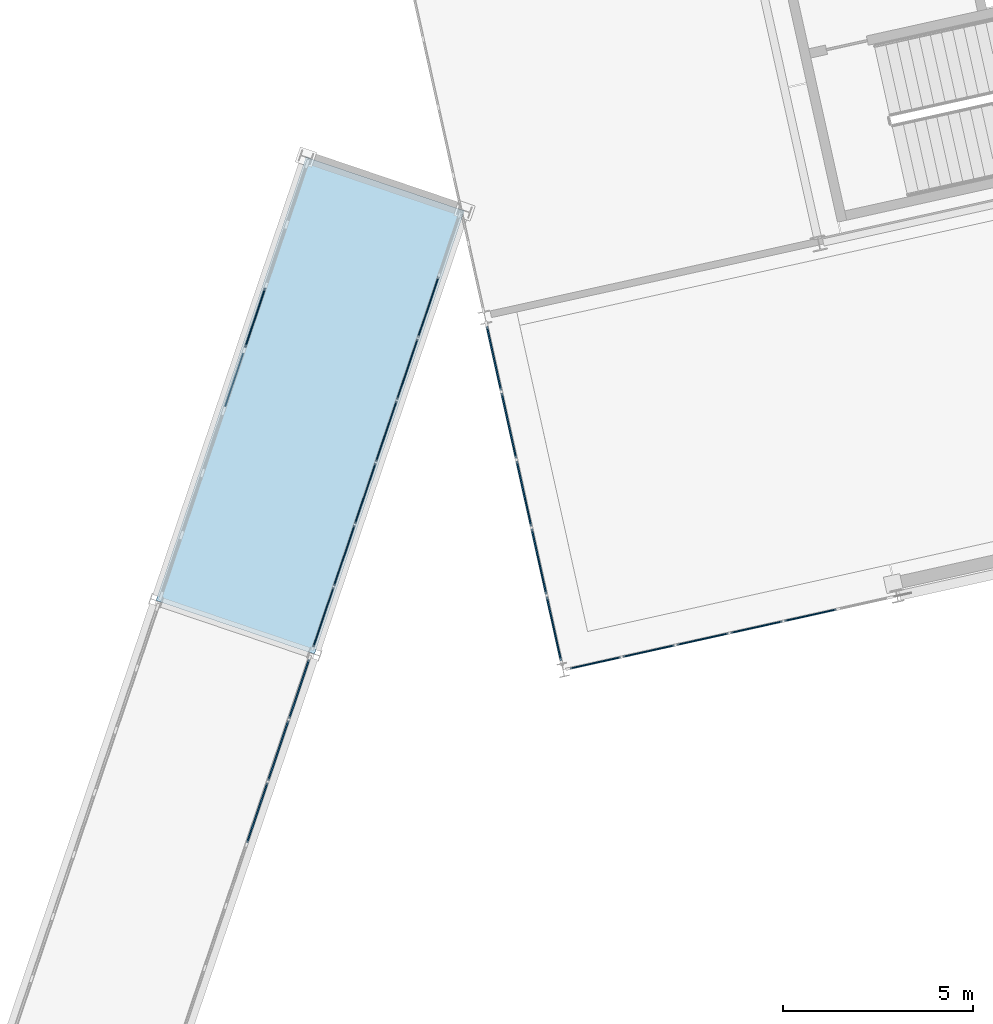
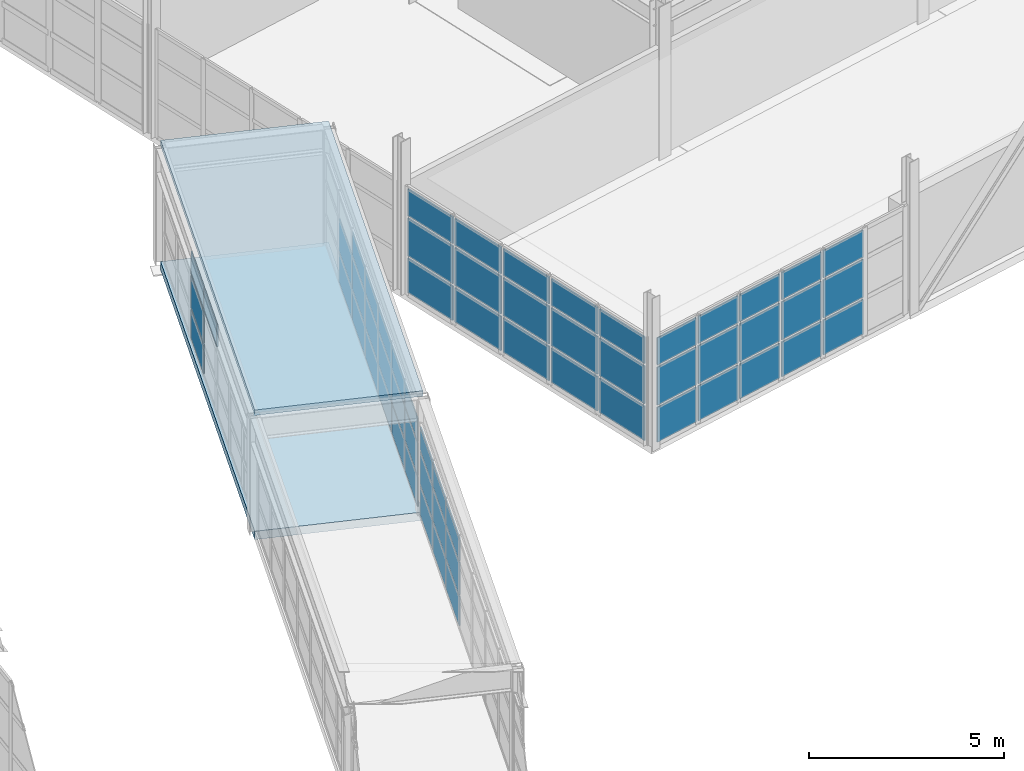
# One storey, part 70 of 102: 60 plates, 2 slabs, 5 elements without a shape of their own.
"""IFC4 building model written with IfcOpenShell, lengths in metres."""

from ifc_helpers import new_model, si_unit, direction, frame, origin, origin_2d, place, context, subcontext, project, spatial, polyline, rectangle, outline, extrude, material, layer, layer_set, type_object, element, aggregate, save


model = new_model("IFC4")

# Units and contexts
model_context = context("Model", 3, precision=1e-05, world=origin(), true_north=direction((0.0, 1.0)))
body_context = subcontext(model_context, "Body", "Model", "MODEL_VIEW")
ifc_project = project(units=[si_unit("LENGTHUNIT", "METRE"), si_unit("AREAUNIT", "SQUARE_METRE"), si_unit("VOLUMEUNIT", "CUBIC_METRE"), si_unit("PLANEANGLEUNIT", "RADIAN"), si_unit("MASSUNIT", "GRAM", prefix="KILO")], contexts=[model_context])

# Site, building, storey
site_placement = place(None, origin())
site = spatial("IfcSite", under=ifc_project, at=site_placement, CompositionType="ELEMENT")
building_placement = place(site_placement, origin())
building = spatial("IfcBuilding", under=site, at=building_placement, Name="Vireo Bluff Cable Station", CompositionType="ELEMENT")
storey_placement = place(building_placement, frame((0.0, 0.0, 9.60009765625)))
storey = spatial("IfcBuildingStorey", under=building, at=storey_placement, Name="L02", CompositionType="ELEMENT", Elevation=9.60009765625)

# Curtain wall, plates
ifc_material_1 = material(Name="Anodized Aluminium 6063-T6", Category="aluminium")
ifc_layer_1 = layer(ifc_material_1, 0.159912109375, Name="Anodized Aluminium 6063-T6")
ifc_layer_set_1 = layer_set([ifc_layer_1], Name="Anodized Aluminium 6063-T6")
curtain_wall_type_1 = type_object("IfcCurtainWallType", Name="CW-STICK-1750", PredefinedType="USERDEFINED", material=ifc_layer_set_1)
curtain_wall_1_placement = place(storey_placement, origin())
curtain_wall_1 = element("IfcCurtainWall", 1, at=curtain_wall_1_placement, inside=storey, type_object=curtain_wall_type_1, Name="SKYBR L02 HAUL-DRIVE-3L curtain wall CW-150", ObjectType="STICK CURTAIN WALL", PredefinedType="USERDEFINED")
ifc_material_2 = material(Name="Laminated Low-E Insulated Glass", Category="glass")
ifc_layer_2 = layer(ifc_material_2, 0.028076171875, Name="Laminated Low-E Insulated Glass")
ifc_layer_set_2 = layer_set([ifc_layer_2], Name="Laminated Low-E Insulated Glass")
plate_type_1 = type_object("IfcPlateType", Name="CWP-28-1", PredefinedType="CURTAIN_PANEL", material=ifc_layer_set_2)
plate_1_placement = place(storey_placement, frame((119.695556640625, 75.39208984375, 0.059814453125), z_axis=(0.0, 0.0, 1.0), x_axis=(0.320353719222, 0.947297996715, 0.0)))
plate_1 = element("IfcPlate", 2, at=plate_1_placement, type_object=plate_type_1, Name="CW-150 panel 1.1", PredefinedType="CURTAIN_PANEL", context=body_context, shape_type="SweptSolid", body=[
    extrude(rectangle(XDim=1.635009765625, YDim=0.028076171875, at=origin_2d()), origin(), (0.0, 0.0, 1.0), 0.91796875),
])
plate_2_placement = place(storey_placement, frame((119.695556640625, 75.39208984375, 1.0380859375), z_axis=(0.0, 0.0, 1.0), x_axis=(0.320353719222, 0.947297996715, 0.0)))
plate_2 = element("IfcPlate", 3, at=plate_2_placement, type_object=plate_type_1, Name="CW-150 panel 1.2", PredefinedType="CURTAIN_PANEL", context=body_context, shape_type="SweptSolid", body=[
    extrude(rectangle(XDim=1.635009765625, YDim=0.028076171875, at=origin_2d()), origin(), (0.0, 0.0, 1.0), 1.005615234375),
])
plate_3_placement = place(storey_placement, frame((119.695556640625, 75.39208984375, 2.103515625), z_axis=(0.0, 0.0, 1.0), x_axis=(0.320353719222, 0.947297996715, 0.0)))
plate_3 = element("IfcPlate", 4, at=plate_3_placement, type_object=plate_type_1, Name="CW-150 panel 1.3", PredefinedType="CURTAIN_PANEL", context=body_context, shape_type="SweptSolid", body=[
    extrude(rectangle(XDim=1.635009765625, YDim=0.028076171875, at=origin_2d()), origin(), (0.0, 0.0, 1.0), 0.71630859375),
])
plate_4_placement = place(storey_placement, frame((120.243408203125, 77.011962890625, 0.059814453125), z_axis=(0.0, 0.0, 1.0), x_axis=(0.320353719222, 0.947297996715, 0.0)))
plate_4 = element("IfcPlate", 5, at=plate_4_placement, type_object=plate_type_1, Name="CW-150 panel 2.1", PredefinedType="CURTAIN_PANEL", context=body_context, shape_type="SweptSolid", body=[
    extrude(rectangle(XDim=1.6650390625, YDim=0.028076171875, at=origin_2d()), origin(), (0.0, 0.0, 1.0), 0.91796875),
])
plate_5_placement = place(storey_placement, frame((120.243408203125, 77.011962890625, 1.0380859375), z_axis=(0.0, 0.0, 1.0), x_axis=(0.320353719222, 0.947297996715, 0.0)))
plate_5 = element("IfcPlate", 6, at=plate_5_placement, type_object=plate_type_1, Name="CW-150 panel 2.2", PredefinedType="CURTAIN_PANEL", context=body_context, shape_type="SweptSolid", body=[
    extrude(rectangle(XDim=1.6650390625, YDim=0.028076171875, at=origin_2d()), origin(), (0.0, 0.0, 1.0), 1.005615234375),
])
plate_6_placement = place(storey_placement, frame((120.243408203125, 77.011962890625, 2.103515625), z_axis=(0.0, 0.0, 1.0), x_axis=(0.320353719222, 0.947297996715, 0.0)))
plate_6 = element("IfcPlate", 7, at=plate_6_placement, type_object=plate_type_1, Name="CW-150 panel 2.3", PredefinedType="CURTAIN_PANEL", context=body_context, shape_type="SweptSolid", body=[
    extrude(rectangle(XDim=1.6650390625, YDim=0.028076171875, at=origin_2d()), origin(), (0.0, 0.0, 1.0), 0.71630859375),
])
plate_7_placement = place(storey_placement, frame((120.796142578125, 78.646240234375, 0.059814453125), z_axis=(0.0, 0.0, 1.0), x_axis=(0.320353719222, 0.947297996715, 0.0)))
plate_7 = element("IfcPlate", 8, at=plate_7_placement, type_object=plate_type_1, Name="CW-150 panel 3.1", PredefinedType="CURTAIN_PANEL", context=body_context, shape_type="SweptSolid", body=[
    extrude(rectangle(XDim=1.6650390625, YDim=0.028076171875, at=origin_2d()), origin(), (0.0, 0.0, 1.0), 0.91796875),
])
plate_8_placement = place(storey_placement, frame((120.796142578125, 78.646240234375, 1.0380859375), z_axis=(0.0, 0.0, 1.0), x_axis=(0.320353719222, 0.947297996715, 0.0)))
plate_8 = element("IfcPlate", 9, at=plate_8_placement, type_object=plate_type_1, Name="CW-150 panel 3.2", PredefinedType="CURTAIN_PANEL", context=body_context, shape_type="SweptSolid", body=[
    extrude(rectangle(XDim=1.6650390625, YDim=0.028076171875, at=origin_2d()), origin(), (0.0, 0.0, 1.0), 1.005615234375),
])
plate_9_placement = place(storey_placement, frame((120.796142578125, 78.646240234375, 2.103515625), z_axis=(0.0, 0.0, 1.0), x_axis=(0.320353719222, 0.947297996715, 0.0)))
plate_9 = element("IfcPlate", 10, at=plate_9_placement, type_object=plate_type_1, Name="CW-150 panel 3.3", PredefinedType="CURTAIN_PANEL", context=body_context, shape_type="SweptSolid", body=[
    extrude(rectangle(XDim=1.6650390625, YDim=0.028076171875, at=origin_2d()), origin(), (0.0, 0.0, 1.0), 0.71630859375),
])
plate_10_placement = place(storey_placement, frame((121.3486328125, 80.280517578125, 0.059814453125), z_axis=(0.0, 0.0, 1.0), x_axis=(0.320353719222, 0.947297996715, 0.0)))
plate_10 = element("IfcPlate", 11, at=plate_10_placement, type_object=plate_type_1, Name="CW-150 panel 4.1", PredefinedType="CURTAIN_PANEL", context=body_context, shape_type="SweptSolid", body=[
    extrude(rectangle(XDim=1.6650390625, YDim=0.028076171875, at=origin_2d()), origin(), (0.0, 0.0, 1.0), 0.91796875),
])
plate_11_placement = place(storey_placement, frame((121.3486328125, 80.280517578125, 1.0380859375), z_axis=(0.0, 0.0, 1.0), x_axis=(0.320353719222, 0.947297996715, 0.0)))
plate_11 = element("IfcPlate", 12, at=plate_11_placement, type_object=plate_type_1, Name="CW-150 panel 4.2", PredefinedType="CURTAIN_PANEL", context=body_context, shape_type="SweptSolid", body=[
    extrude(rectangle(XDim=1.6650390625, YDim=0.028076171875, at=origin_2d()), origin(), (0.0, 0.0, 1.0), 1.005615234375),
])
plate_12_placement = place(storey_placement, frame((121.3486328125, 80.280517578125, 2.103515625), z_axis=(0.0, 0.0, 1.0), x_axis=(0.320353719222, 0.947297996715, 0.0)))
plate_12 = element("IfcPlate", 13, at=plate_12_placement, type_object=plate_type_1, Name="CW-150 panel 4.3", PredefinedType="CURTAIN_PANEL", context=body_context, shape_type="SweptSolid", body=[
    extrude(rectangle(XDim=1.6650390625, YDim=0.028076171875, at=origin_2d()), origin(), (0.0, 0.0, 1.0), 0.71630859375),
])
plate_13_placement = place(storey_placement, frame((121.9013671875, 81.91455078125, 0.059814453125), z_axis=(0.0, 0.0, 1.0), x_axis=(0.320353719222, 0.947297996715, 0.0)))
plate_13 = element("IfcPlate", 14, at=plate_13_placement, type_object=plate_type_1, Name="CW-150 panel 5.1", PredefinedType="CURTAIN_PANEL", context=body_context, shape_type="SweptSolid", body=[
    extrude(rectangle(XDim=1.6650390625, YDim=0.028076171875, at=origin_2d()), origin(), (0.0, 0.0, 1.0), 0.91796875),
])
plate_14_placement = place(storey_placement, frame((121.9013671875, 81.91455078125, 1.0380859375), z_axis=(0.0, 0.0, 1.0), x_axis=(0.320353719222, 0.947297996715, 0.0)))
plate_14 = element("IfcPlate", 15, at=plate_14_placement, type_object=plate_type_1, Name="CW-150 panel 5.2", PredefinedType="CURTAIN_PANEL", context=body_context, shape_type="SweptSolid", body=[
    extrude(rectangle(XDim=1.6650390625, YDim=0.028076171875, at=origin_2d()), origin(), (0.0, 0.0, 1.0), 1.005615234375),
])
plate_15_placement = place(storey_placement, frame((121.9013671875, 81.91455078125, 2.103515625), z_axis=(0.0, 0.0, 1.0), x_axis=(0.320353719222, 0.947297996715, 0.0)))
plate_15 = element("IfcPlate", 16, at=plate_15_placement, type_object=plate_type_1, Name="CW-150 panel 5.3", PredefinedType="CURTAIN_PANEL", context=body_context, shape_type="SweptSolid", body=[
    extrude(rectangle(XDim=1.6650390625, YDim=0.028076171875, at=origin_2d()), origin(), (0.0, 0.0, 1.0), 0.71630859375),
])
plate_16_placement = place(storey_placement, frame((122.4541015625, 83.548828125, 0.059814453125), z_axis=(0.0, 0.0, 1.0), x_axis=(0.320353719222, 0.947297996715, 0.0)))
plate_16 = element("IfcPlate", 17, at=plate_16_placement, type_object=plate_type_1, Name="CW-150 panel 6.1", PredefinedType="CURTAIN_PANEL", context=body_context, shape_type="SweptSolid", body=[
    extrude(rectangle(XDim=1.6650390625, YDim=0.028076171875, at=origin_2d()), origin(), (0.0, 0.0, 1.0), 0.91796875),
])
plate_17_placement = place(storey_placement, frame((122.4541015625, 83.548828125, 1.0380859375), z_axis=(0.0, 0.0, 1.0), x_axis=(0.320353719222, 0.947297996715, 0.0)))
plate_17 = element("IfcPlate", 18, at=plate_17_placement, type_object=plate_type_1, Name="CW-150 panel 6.2", PredefinedType="CURTAIN_PANEL", context=body_context, shape_type="SweptSolid", body=[
    extrude(rectangle(XDim=1.6650390625, YDim=0.028076171875, at=origin_2d()), origin(), (0.0, 0.0, 1.0), 1.005615234375),
])
aggregate(curtain_wall_1, [plate_1, plate_2, plate_3, plate_4, plate_5, plate_6, plate_7, plate_8, plate_9, plate_10, plate_11, plate_12, plate_13, plate_14, plate_15, plate_16, plate_17])

ifc_layer_3 = layer(ifc_material_1, 0.159912109375, Name="Anodized Aluminium 6063-T6")
ifc_layer_set_3 = layer_set([ifc_layer_3], Name="Anodized Aluminium 6063-T6")
curtain_wall_type_2 = type_object("IfcCurtainWallType", Name="CW-STICK-1850", PredefinedType="USERDEFINED", material=ifc_layer_set_3)
curtain_wall_2_placement = place(storey_placement, origin())
curtain_wall_2 = element("IfcCurtainWall", 19, at=curtain_wall_2_placement, inside=storey, type_object=curtain_wall_type_2, Name="SKYBR L02 HAUL-DRIVE-3R curtain wall CW-151", ObjectType="STICK CURTAIN WALL", PredefinedType="USERDEFINED")
ifc_layer_4 = layer(ifc_material_2, 0.031982421875, Name="Laminated Low-E Insulated Glass")
ifc_layer_set_4 = layer_set([ifc_layer_4], Name="Laminated Low-E Insulated Glass")
plate_type_2 = type_object("IfcPlateType", Name="CWP-32-2", PredefinedType="CURTAIN_PANEL", material=ifc_layer_set_4)
plate_18_placement = place(storey_placement, frame((117.347412109375, 81.633544921875, 2.11376953125), z_axis=(0.0, 0.0, 1.0), x_axis=(0.320353719222, 0.947297996715, 0.0)))
plate_18 = element("IfcPlate", 20, at=plate_18_placement, type_object=plate_type_2, Name="CW-151 panel 4.3", PredefinedType="CURTAIN_PANEL", context=body_context, shape_type="SweptSolid", body=[
    extrude(rectangle(XDim=1.64501953125, YDim=0.031982421875, at=origin_2d()), origin(), (0.0, 0.0, 1.0), 0.686279296875),
])
plate_19_placement = place(storey_placement, frame((117.89990234375, 83.267822265625, 0.080078125), z_axis=(0.0, 0.0, 1.0), x_axis=(0.320353719222, 0.947297996715, 0.0)))
plate_19 = element("IfcPlate", 21, at=plate_19_placement, type_object=plate_type_2, Name="CW-151 panel 5.1", PredefinedType="CURTAIN_PANEL", context=body_context, shape_type="SweptSolid", body=[
    extrude(rectangle(XDim=1.64501953125, YDim=0.031982421875, at=origin_2d()), origin(), (0.0, 0.0, 1.0), 0.887939453125),
])
plate_20_placement = place(storey_placement, frame((117.89990234375, 83.267822265625, 1.0478515625), z_axis=(0.0, 0.0, 1.0), x_axis=(0.320353719222, 0.947297996715, 0.0)))
plate_20 = element("IfcPlate", 22, at=plate_20_placement, type_object=plate_type_2, Name="CW-151 panel 5.2", PredefinedType="CURTAIN_PANEL", context=body_context, shape_type="SweptSolid", body=[
    extrude(rectangle(XDim=1.64501953125, YDim=0.031982421875, at=origin_2d()), origin(), (0.0, 0.0, 1.0), 0.985595703125),
])
plate_21_placement = place(storey_placement, frame((117.89990234375, 83.267822265625, 2.11376953125), z_axis=(0.0, 0.0, 1.0), x_axis=(0.320353719222, 0.947297996715, 0.0)))
plate_21 = element("IfcPlate", 23, at=plate_21_placement, type_object=plate_type_2, Name="CW-151 panel 5.3", PredefinedType="CURTAIN_PANEL", context=body_context, shape_type="SweptSolid", body=[
    extrude(rectangle(XDim=1.64501953125, YDim=0.031982421875, at=origin_2d()), origin(), (0.0, 0.0, 1.0), 0.686279296875),
])
aggregate(curtain_wall_2, [plate_18, plate_19, plate_20, plate_21])

ifc_layer_5 = layer(ifc_material_1, 0.179931640625, Name="Anodized Aluminium 6063-T6")
ifc_layer_set_5 = layer_set([ifc_layer_5], Name="Anodized Aluminium 6063-T6")
curtain_wall_type_3 = type_object("IfcCurtainWallType", Name="CW-UNIT-1500", PredefinedType="USERDEFINED", material=ifc_layer_set_5)
curtain_wall_3_placement = place(storey_placement, origin())
curtain_wall_3 = element("IfcCurtainWall", 24, at=curtain_wall_3_placement, inside=storey, type_object=curtain_wall_type_3, Name="V2 L02 south curtain wall CW-052", ObjectType="UNITISED CURTAIN WALL", PredefinedType="USERDEFINED")
ifc_layer_6 = layer(ifc_material_2, 0.035888671875, Name="Laminated Low-E Insulated Glass")
ifc_layer_set_6 = layer_set([ifc_layer_6], Name="Laminated Low-E Insulated Glass")
plate_type_3 = type_object("IfcPlateType", Name="CWP-36-3", PredefinedType="CURTAIN_PANEL", material=ifc_layer_set_6)
plate_22_placement = place(storey_placement, frame((132.5068359375, 75.442626953125, 0.06494140625), z_axis=(0.0, 0.0, 1.0), x_axis=(-0.976296009896, -0.216439601414, 0.0)))
plate_22 = element("IfcPlate", 25, at=plate_22_placement, type_object=plate_type_3, Name="CW-052 panel 2.1", PredefinedType="CURTAIN_PANEL", context=body_context, shape_type="SweptSolid", body=[
    extrude(rectangle(XDim=1.387451171875, YDim=0.035888671875, at=origin_2d()), origin(), (0.0, 0.0, 1.0), 1.092529296875),
])
plate_23_placement = place(storey_placement, frame((132.5068359375, 75.442626953125, 1.22216796875), z_axis=(0.0, 0.0, 1.0), x_axis=(-0.976296009896, -0.216439601414, 0.0)))
plate_23 = element("IfcPlate", 26, at=plate_23_placement, type_object=plate_type_3, Name="CW-052 panel 2.2", PredefinedType="CURTAIN_PANEL", context=body_context, shape_type="SweptSolid", body=[
    extrude(rectangle(XDim=1.387451171875, YDim=0.035888671875, at=origin_2d()), origin(), (0.0, 0.0, 1.0), 1.193115234375),
])
plate_24_placement = place(storey_placement, frame((132.5068359375, 75.442626953125, 2.48046875), z_axis=(0.0, 0.0, 1.0), x_axis=(-0.976296009896, -0.216439601414, 0.0)))
plate_24 = element("IfcPlate", 27, at=plate_24_placement, type_object=plate_type_3, Name="CW-052 panel 2.3", PredefinedType="CURTAIN_PANEL", context=body_context, shape_type="SweptSolid", body=[
    extrude(rectangle(XDim=1.387451171875, YDim=0.035888671875, at=origin_2d()), origin(), (0.0, 0.0, 1.0), 0.8544921875),
])
plate_25_placement = place(storey_placement, frame((131.0888671875, 75.128173828125, 0.06494140625), z_axis=(0.0, 0.0, 1.0), x_axis=(-0.976296009896, -0.216439601414, 0.0)))
plate_25 = element("IfcPlate", 28, at=plate_25_placement, type_object=plate_type_3, Name="CW-052 panel 3.1", PredefinedType="CURTAIN_PANEL", context=body_context, shape_type="SweptSolid", body=[
    extrude(rectangle(XDim=1.387451171875, YDim=0.035888671875, at=origin_2d()), origin(), (0.0, 0.0, 1.0), 1.092529296875),
])
plate_26_placement = place(storey_placement, frame((131.0888671875, 75.128173828125, 1.22216796875), z_axis=(0.0, 0.0, 1.0), x_axis=(-0.976296009896, -0.216439601414, 0.0)))
plate_26 = element("IfcPlate", 29, at=plate_26_placement, type_object=plate_type_3, Name="CW-052 panel 3.2", PredefinedType="CURTAIN_PANEL", context=body_context, shape_type="SweptSolid", body=[
    extrude(rectangle(XDim=1.387451171875, YDim=0.035888671875, at=origin_2d()), origin(), (0.0, 0.0, 1.0), 1.193115234375),
])
plate_27_placement = place(storey_placement, frame((131.0888671875, 75.128173828125, 2.48046875), z_axis=(0.0, 0.0, 1.0), x_axis=(-0.976296009896, -0.216439601414, 0.0)))
plate_27 = element("IfcPlate", 30, at=plate_27_placement, type_object=plate_type_3, Name="CW-052 panel 3.3", PredefinedType="CURTAIN_PANEL", context=body_context, shape_type="SweptSolid", body=[
    extrude(rectangle(XDim=1.387451171875, YDim=0.035888671875, at=origin_2d()), origin(), (0.0, 0.0, 1.0), 0.8544921875),
])
plate_28_placement = place(storey_placement, frame((129.6708984375, 74.813720703125, 0.06494140625), z_axis=(0.0, 0.0, 1.0), x_axis=(-0.976296009896, -0.216439601414, 0.0)))
plate_28 = element("IfcPlate", 31, at=plate_28_placement, type_object=plate_type_3, Name="CW-052 panel 4.1", PredefinedType="CURTAIN_PANEL", context=body_context, shape_type="SweptSolid", body=[
    extrude(rectangle(XDim=1.387451171875, YDim=0.035888671875, at=origin_2d()), origin(), (0.0, 0.0, 1.0), 1.092529296875),
])
plate_29_placement = place(storey_placement, frame((129.6708984375, 74.813720703125, 1.22216796875), z_axis=(0.0, 0.0, 1.0), x_axis=(-0.976296009896, -0.216439601414, 0.0)))
plate_29 = element("IfcPlate", 32, at=plate_29_placement, type_object=plate_type_3, Name="CW-052 panel 4.2", PredefinedType="CURTAIN_PANEL", context=body_context, shape_type="SweptSolid", body=[
    extrude(rectangle(XDim=1.387451171875, YDim=0.035888671875, at=origin_2d()), origin(), (0.0, 0.0, 1.0), 1.193115234375),
])
plate_30_placement = place(storey_placement, frame((129.6708984375, 74.813720703125, 2.48046875), z_axis=(0.0, 0.0, 1.0), x_axis=(-0.976296009896, -0.216439601414, 0.0)))
plate_30 = element("IfcPlate", 33, at=plate_30_placement, type_object=plate_type_3, Name="CW-052 panel 4.3", PredefinedType="CURTAIN_PANEL", context=body_context, shape_type="SweptSolid", body=[
    extrude(rectangle(XDim=1.387451171875, YDim=0.035888671875, at=origin_2d()), origin(), (0.0, 0.0, 1.0), 0.8544921875),
])
plate_31_placement = place(storey_placement, frame((128.2529296875, 74.49951171875, 0.06494140625), z_axis=(0.0, 0.0, 1.0), x_axis=(-0.976296009896, -0.216439601414, 0.0)))
plate_31 = element("IfcPlate", 34, at=plate_31_placement, type_object=plate_type_3, Name="CW-052 panel 5.1", PredefinedType="CURTAIN_PANEL", context=body_context, shape_type="SweptSolid", body=[
    extrude(rectangle(XDim=1.387451171875, YDim=0.035888671875, at=origin_2d()), origin(), (0.0, 0.0, 1.0), 1.092529296875),
])
plate_32_placement = place(storey_placement, frame((128.2529296875, 74.49951171875, 1.22216796875), z_axis=(0.0, 0.0, 1.0), x_axis=(-0.976296009896, -0.216439601414, 0.0)))
plate_32 = element("IfcPlate", 35, at=plate_32_placement, type_object=plate_type_3, Name="CW-052 panel 5.2", PredefinedType="CURTAIN_PANEL", context=body_context, shape_type="SweptSolid", body=[
    extrude(rectangle(XDim=1.387451171875, YDim=0.035888671875, at=origin_2d()), origin(), (0.0, 0.0, 1.0), 1.193115234375),
])
plate_33_placement = place(storey_placement, frame((128.2529296875, 74.49951171875, 2.48046875), z_axis=(0.0, 0.0, 1.0), x_axis=(-0.976296009896, -0.216439601414, 0.0)))
plate_33 = element("IfcPlate", 36, at=plate_33_placement, type_object=plate_type_3, Name="CW-052 panel 5.3", PredefinedType="CURTAIN_PANEL", context=body_context, shape_type="SweptSolid", body=[
    extrude(rectangle(XDim=1.387451171875, YDim=0.035888671875, at=origin_2d()), origin(), (0.0, 0.0, 1.0), 0.8544921875),
])
plate_34_placement = place(storey_placement, frame((126.850830078125, 74.188720703125, 0.06494140625), z_axis=(0.0, 0.0, 1.0), x_axis=(-0.976296009896, -0.216439601414, 0.0)))
plate_34 = element("IfcPlate", 37, at=plate_34_placement, type_object=plate_type_3, Name="CW-052 panel 6.1", PredefinedType="CURTAIN_PANEL", context=body_context, shape_type="SweptSolid", body=[
    extrude(rectangle(XDim=1.35498046875, YDim=0.035888671875, at=origin_2d()), origin(), (0.0, 0.0, 1.0), 1.092529296875),
])
plate_35_placement = place(storey_placement, frame((126.850830078125, 74.188720703125, 1.22216796875), z_axis=(0.0, 0.0, 1.0), x_axis=(-0.976296009896, -0.216439601414, 0.0)))
plate_35 = element("IfcPlate", 38, at=plate_35_placement, type_object=plate_type_3, Name="CW-052 panel 6.2", PredefinedType="CURTAIN_PANEL", context=body_context, shape_type="SweptSolid", body=[
    extrude(rectangle(XDim=1.35498046875, YDim=0.035888671875, at=origin_2d()), origin(), (0.0, 0.0, 1.0), 1.193115234375),
])
plate_36_placement = place(storey_placement, frame((126.850830078125, 74.188720703125, 2.48046875), z_axis=(0.0, 0.0, 1.0), x_axis=(-0.976296009896, -0.216439601414, 0.0)))
plate_36 = element("IfcPlate", 39, at=plate_36_placement, type_object=plate_type_3, Name="CW-052 panel 6.3", PredefinedType="CURTAIN_PANEL", context=body_context, shape_type="SweptSolid", body=[
    extrude(rectangle(XDim=1.35498046875, YDim=0.035888671875, at=origin_2d()), origin(), (0.0, 0.0, 1.0), 0.8544921875),
])
aggregate(curtain_wall_3, [plate_22, plate_23, plate_24, plate_25, plate_26, plate_27, plate_28, plate_29, plate_30, plate_31, plate_32, plate_33, plate_34, plate_35, plate_36])

curtain_wall_4_placement = place(storey_placement, origin())
curtain_wall_4 = element("IfcCurtainWall", 40, at=curtain_wall_4_placement, inside=storey, type_object=curtain_wall_type_2, Name="V2 L02 west curtain wall CW-053", ObjectType="STICK CURTAIN WALL", PredefinedType="USERDEFINED")
ifc_material_3 = material(Name="Insulated Spandrel Glass Panel", Category="glass")
ifc_layer_7 = layer(ifc_material_3, 0.0419921875, Name="Insulated Spandrel Glass Panel")
ifc_layer_set_7 = layer_set([ifc_layer_7], Name="Insulated Spandrel Glass Panel")
plate_type_4 = type_object("IfcPlateType", Name="CWP-42-4", PredefinedType="CURTAIN_PANEL", material=ifc_layer_set_7)
plate_37_placement = place(storey_placement, frame((125.75927734375, 75.086181640625, 0.0751953125), z_axis=(0.0, 0.0, 1.0), x_axis=(-0.216439644337, 0.976296000381, 0.0)))
plate_37 = element("IfcPlate", 41, at=plate_37_placement, type_object=plate_type_4, Name="CW-053 panel 1.1", PredefinedType="CURTAIN_PANEL", context=body_context, shape_type="SweptSolid", body=[
    extrude(rectangle(XDim=1.718017578125, YDim=0.0419921875, at=origin_2d()), origin(), (0.0, 0.0, 1.0), 1.077392578125),
])
plate_38_placement = place(storey_placement, frame((125.75927734375, 75.086181640625, 1.227294921875), z_axis=(0.0, 0.0, 1.0), x_axis=(-0.216439644337, 0.976296000381, 0.0)))
plate_38 = element("IfcPlate", 42, at=plate_38_placement, type_object=plate_type_4, Name="CW-053 panel 1.2", PredefinedType="CURTAIN_PANEL", context=body_context, shape_type="SweptSolid", body=[
    extrude(rectangle(XDim=1.718017578125, YDim=0.0419921875, at=origin_2d()), origin(), (0.0, 0.0, 1.0), 1.18310546875),
])
plate_39_placement = place(storey_placement, frame((125.75927734375, 75.086181640625, 2.4853515625), z_axis=(0.0, 0.0, 1.0), x_axis=(-0.216439644337, 0.976296000381, 0.0)))
plate_39 = element("IfcPlate", 43, at=plate_39_placement, type_object=plate_type_4, Name="CW-053 panel 1.3", PredefinedType="CURTAIN_PANEL", context=body_context, shape_type="SweptSolid", body=[
    extrude(rectangle(XDim=1.718017578125, YDim=0.0419921875, at=origin_2d()), origin(), (0.0, 0.0, 1.0), 0.839599609375),
])
plate_40_placement = place(storey_placement, frame((125.366943359375, 76.85498046875, 0.0751953125), z_axis=(0.0, 0.0, 1.0), x_axis=(-0.216439644337, 0.976296000381, 0.0)))
plate_40 = element("IfcPlate", 44, at=plate_40_placement, type_object=plate_type_4, Name="CW-053 panel 2.1", PredefinedType="CURTAIN_PANEL", context=body_context, shape_type="SweptSolid", body=[
    extrude(rectangle(XDim=1.755615234375, YDim=0.0419921875, at=origin_2d()), origin(), (0.0, 0.0, 1.0), 1.077392578125),
])
plate_41_placement = place(storey_placement, frame((125.366943359375, 76.85498046875, 1.227294921875), z_axis=(0.0, 0.0, 1.0), x_axis=(-0.216439644337, 0.976296000381, 0.0)))
plate_41 = element("IfcPlate", 45, at=plate_41_placement, type_object=plate_type_4, Name="CW-053 panel 2.2", PredefinedType="CURTAIN_PANEL", context=body_context, shape_type="SweptSolid", body=[
    extrude(rectangle(XDim=1.755615234375, YDim=0.0419921875, at=origin_2d()), origin(), (0.0, 0.0, 1.0), 1.18310546875),
])
plate_42_placement = place(storey_placement, frame((125.366943359375, 76.85498046875, 2.4853515625), z_axis=(0.0, 0.0, 1.0), x_axis=(-0.216439644337, 0.976296000381, 0.0)))
plate_42 = element("IfcPlate", 46, at=plate_42_placement, type_object=plate_type_4, Name="CW-053 panel 2.3", PredefinedType="CURTAIN_PANEL", context=body_context, shape_type="SweptSolid", body=[
    extrude(rectangle(XDim=1.755615234375, YDim=0.0419921875, at=origin_2d()), origin(), (0.0, 0.0, 1.0), 0.839599609375),
])
plate_43_placement = place(storey_placement, frame((124.970947265625, 78.642333984375, 0.0751953125), z_axis=(0.0, 0.0, 1.0), x_axis=(-0.216439644337, 0.976296000381, 0.0)))
plate_43 = element("IfcPlate", 47, at=plate_43_placement, type_object=plate_type_4, Name="CW-053 panel 3.1", PredefinedType="CURTAIN_PANEL", context=body_context, shape_type="SweptSolid", body=[
    extrude(rectangle(XDim=1.755615234375, YDim=0.0419921875, at=origin_2d()), origin(), (0.0, 0.0, 1.0), 1.077392578125),
])
plate_44_placement = place(storey_placement, frame((124.970947265625, 78.642333984375, 1.227294921875), z_axis=(0.0, 0.0, 1.0), x_axis=(-0.216439644337, 0.976296000381, 0.0)))
plate_44 = element("IfcPlate", 48, at=plate_44_placement, type_object=plate_type_4, Name="CW-053 panel 3.2", PredefinedType="CURTAIN_PANEL", context=body_context, shape_type="SweptSolid", body=[
    extrude(rectangle(XDim=1.755615234375, YDim=0.0419921875, at=origin_2d()), origin(), (0.0, 0.0, 1.0), 1.18310546875),
])
plate_45_placement = place(storey_placement, frame((124.970947265625, 78.642333984375, 2.4853515625), z_axis=(0.0, 0.0, 1.0), x_axis=(-0.216439644337, 0.976296000381, 0.0)))
plate_45 = element("IfcPlate", 49, at=plate_45_placement, type_object=plate_type_4, Name="CW-053 panel 3.3", PredefinedType="CURTAIN_PANEL", context=body_context, shape_type="SweptSolid", body=[
    extrude(rectangle(XDim=1.755615234375, YDim=0.0419921875, at=origin_2d()), origin(), (0.0, 0.0, 1.0), 0.839599609375),
])
plate_46_placement = place(storey_placement, frame((124.57470703125, 80.429443359375, 0.0751953125), z_axis=(0.0, 0.0, 1.0), x_axis=(-0.216439644337, 0.976296000381, 0.0)))
plate_46 = element("IfcPlate", 50, at=plate_46_placement, type_object=plate_type_4, Name="CW-053 panel 4.1", PredefinedType="CURTAIN_PANEL", context=body_context, shape_type="SweptSolid", body=[
    extrude(rectangle(XDim=1.755615234375, YDim=0.0419921875, at=origin_2d()), origin(), (0.0, 0.0, 1.0), 1.077392578125),
])
plate_47_placement = place(storey_placement, frame((124.57470703125, 80.429443359375, 1.227294921875), z_axis=(0.0, 0.0, 1.0), x_axis=(-0.216439644337, 0.976296000381, 0.0)))
plate_47 = element("IfcPlate", 51, at=plate_47_placement, type_object=plate_type_4, Name="CW-053 panel 4.2", PredefinedType="CURTAIN_PANEL", context=body_context, shape_type="SweptSolid", body=[
    extrude(rectangle(XDim=1.755615234375, YDim=0.0419921875, at=origin_2d()), origin(), (0.0, 0.0, 1.0), 1.18310546875),
])
plate_48_placement = place(storey_placement, frame((124.57470703125, 80.429443359375, 2.4853515625), z_axis=(0.0, 0.0, 1.0), x_axis=(-0.216439644337, 0.976296000381, 0.0)))
plate_48 = element("IfcPlate", 52, at=plate_48_placement, type_object=plate_type_4, Name="CW-053 panel 4.3", PredefinedType="CURTAIN_PANEL", context=body_context, shape_type="SweptSolid", body=[
    extrude(rectangle(XDim=1.755615234375, YDim=0.0419921875, at=origin_2d()), origin(), (0.0, 0.0, 1.0), 0.839599609375),
])
plate_49_placement = place(storey_placement, frame((124.182373046875, 82.198486328125, 0.0751953125), z_axis=(0.0, 0.0, 1.0), x_axis=(-0.216439644337, 0.976296000381, 0.0)))
plate_49 = element("IfcPlate", 53, at=plate_49_placement, type_object=plate_type_4, Name="CW-053 panel 5.1", PredefinedType="CURTAIN_PANEL", context=body_context, shape_type="SweptSolid", body=[
    extrude(rectangle(XDim=1.718017578125, YDim=0.0419921875, at=origin_2d()), origin(), (0.0, 0.0, 1.0), 1.077392578125),
])
plate_50_placement = place(storey_placement, frame((124.182373046875, 82.198486328125, 1.227294921875), z_axis=(0.0, 0.0, 1.0), x_axis=(-0.216439644337, 0.976296000381, 0.0)))
plate_50 = element("IfcPlate", 54, at=plate_50_placement, type_object=plate_type_4, Name="CW-053 panel 5.2", PredefinedType="CURTAIN_PANEL", context=body_context, shape_type="SweptSolid", body=[
    extrude(rectangle(XDim=1.718017578125, YDim=0.0419921875, at=origin_2d()), origin(), (0.0, 0.0, 1.0), 1.18310546875),
])
plate_51_placement = place(storey_placement, frame((124.182373046875, 82.198486328125, 2.4853515625), z_axis=(0.0, 0.0, 1.0), x_axis=(-0.216439644337, 0.976296000381, 0.0)))
plate_51 = element("IfcPlate", 55, at=plate_51_placement, type_object=plate_type_4, Name="CW-053 panel 5.3", PredefinedType="CURTAIN_PANEL", context=body_context, shape_type="SweptSolid", body=[
    extrude(rectangle(XDim=1.718017578125, YDim=0.0419921875, at=origin_2d()), origin(), (0.0, 0.0, 1.0), 0.839599609375),
])
aggregate(curtain_wall_4, [plate_37, plate_38, plate_39, plate_40, plate_41, plate_42, plate_43, plate_44, plate_45, plate_46, plate_47, plate_48, plate_49, plate_50, plate_51])

curtain_wall_5_placement = place(storey_placement, origin())
curtain_wall_5 = element("IfcCurtainWall", 56, at=curtain_wall_5_placement, inside=storey, type_object=curtain_wall_type_1, Name="SKYBR L02 HAUL-DRIVE-2L curtain wall CW-148", ObjectType="STICK CURTAIN WALL", PredefinedType="USERDEFINED")
plate_52_placement = place(storey_placement, frame((117.95556640625, 70.24658203125, 0.06494140625), z_axis=(0.0, 0.0, 1.0), x_axis=(0.320362365221, 0.9472950728, 0.0)))
plate_52 = element("IfcPlate", 57, at=plate_52_placement, type_object=plate_type_4, Name="CW-148 panel 5.1", PredefinedType="CURTAIN_PANEL", context=body_context, shape_type="SweptSolid", body=[
    extrude(rectangle(XDim=1.66064453125, YDim=0.0419921875, at=origin_2d()), origin(), (0.0, 0.0, 1.0), 0.910400390625),
])
plate_53_placement = place(storey_placement, frame((117.95556640625, 70.24658203125, 1.04052734375), z_axis=(0.0, 0.0, 1.0), x_axis=(0.320362365221, 0.9472950728, 0.0)))
plate_53 = element("IfcPlate", 58, at=plate_53_placement, type_object=plate_type_4, Name="CW-148 panel 5.2", PredefinedType="CURTAIN_PANEL", context=body_context, shape_type="SweptSolid", body=[
    extrude(rectangle(XDim=1.66064453125, YDim=0.0419921875, at=origin_2d()), origin(), (0.0, 0.0, 1.0), 1.00048828125),
])
plate_54_placement = place(storey_placement, frame((117.95556640625, 70.24658203125, 2.10595703125), z_axis=(0.0, 0.0, 1.0), x_axis=(0.320362365221, 0.9472950728, 0.0)))
plate_54 = element("IfcPlate", 59, at=plate_54_placement, type_object=plate_type_4, Name="CW-148 panel 5.3", PredefinedType="CURTAIN_PANEL", context=body_context, shape_type="SweptSolid", body=[
    extrude(rectangle(XDim=1.66064453125, YDim=0.0419921875, at=origin_2d()), origin(), (0.0, 0.0, 1.0), 0.708984375),
])
plate_55_placement = place(storey_placement, frame((118.508544921875, 71.88134765625, 0.06494140625), z_axis=(0.0, 0.0, 1.0), x_axis=(0.320362365221, 0.9472950728, 0.0)))
plate_55 = element("IfcPlate", 60, at=plate_55_placement, type_object=plate_type_4, Name="CW-148 panel 6.1", PredefinedType="CURTAIN_PANEL", context=body_context, shape_type="SweptSolid", body=[
    extrude(rectangle(XDim=1.66064453125, YDim=0.0419921875, at=origin_2d()), origin(), (0.0, 0.0, 1.0), 0.910400390625),
])
plate_56_placement = place(storey_placement, frame((118.508544921875, 71.88134765625, 1.04052734375), z_axis=(0.0, 0.0, 1.0), x_axis=(0.320362365221, 0.9472950728, 0.0)))
plate_56 = element("IfcPlate", 61, at=plate_56_placement, type_object=plate_type_4, Name="CW-148 panel 6.2", PredefinedType="CURTAIN_PANEL", context=body_context, shape_type="SweptSolid", body=[
    extrude(rectangle(XDim=1.66064453125, YDim=0.0419921875, at=origin_2d()), origin(), (0.0, 0.0, 1.0), 1.00048828125),
])
plate_57_placement = place(storey_placement, frame((118.508544921875, 71.88134765625, 2.10595703125), z_axis=(0.0, 0.0, 1.0), x_axis=(0.320362365221, 0.9472950728, 0.0)))
plate_57 = element("IfcPlate", 62, at=plate_57_placement, type_object=plate_type_4, Name="CW-148 panel 6.3", PredefinedType="CURTAIN_PANEL", context=body_context, shape_type="SweptSolid", body=[
    extrude(rectangle(XDim=1.66064453125, YDim=0.0419921875, at=origin_2d()), origin(), (0.0, 0.0, 1.0), 0.708984375),
])
plate_58_placement = place(storey_placement, frame((119.05615234375, 73.500732421875, 0.06494140625), z_axis=(0.0, 0.0, 1.0), x_axis=(0.320362365221, 0.9472950728, 0.0)))
plate_58 = element("IfcPlate", 63, at=plate_58_placement, type_object=plate_type_4, Name="CW-148 panel 7.1", PredefinedType="CURTAIN_PANEL", context=body_context, shape_type="SweptSolid", body=[
    extrude(rectangle(XDim=1.628173828125, YDim=0.0419921875, at=origin_2d()), origin(), (0.0, 0.0, 1.0), 0.910400390625),
])
plate_59_placement = place(storey_placement, frame((119.05615234375, 73.500732421875, 1.04052734375), z_axis=(0.0, 0.0, 1.0), x_axis=(0.320362365221, 0.9472950728, 0.0)))
plate_59 = element("IfcPlate", 64, at=plate_59_placement, type_object=plate_type_4, Name="CW-148 panel 7.2", PredefinedType="CURTAIN_PANEL", context=body_context, shape_type="SweptSolid", body=[
    extrude(rectangle(XDim=1.628173828125, YDim=0.0419921875, at=origin_2d()), origin(), (0.0, 0.0, 1.0), 1.00048828125),
])
plate_60_placement = place(storey_placement, frame((119.05615234375, 73.500732421875, 2.10595703125), z_axis=(0.0, 0.0, 1.0), x_axis=(0.320362365221, 0.9472950728, 0.0)))
plate_60 = element("IfcPlate", 65, at=plate_60_placement, type_object=plate_type_4, Name="CW-148 panel 7.3", PredefinedType="CURTAIN_PANEL", context=body_context, shape_type="SweptSolid", body=[
    extrude(rectangle(XDim=1.628173828125, YDim=0.0419921875, at=origin_2d()), origin(), (0.0, 0.0, 1.0), 0.708984375),
])
aggregate(curtain_wall_5, [plate_52, plate_53, plate_54, plate_55, plate_56, plate_57, plate_58, plate_59, plate_60])

# Slabs
ifc_material_4 = material(Name="Concrete f'c 40 MPa", Category="concrete")
ifc_layer_8 = layer(ifc_material_4, 0.260009765625, Name="Concrete f'c 40 MPa")
ifc_layer_set_8 = layer_set([ifc_layer_8], Name="Concrete f'c 40 MPa")
slab_type_1 = type_object("IfcSlabType", Name="FLOORSLAB-260", PredefinedType="FLOOR", material=ifc_layer_set_8)
slab_1_placement = place(storey_placement, frame((0.0, 0.0, -0.260009765625)))
element("IfcSlab", 66, at=slab_1_placement, inside=storey, type_object=slab_type_1, Name="HAUL-DRIVE enclosed skybridge floor slab 3", PredefinedType="FLOOR", context=body_context, shape_type="SweptSolid", body=[
    extrude(outline(polyline([(119.45947265625, 74.4189453125), (123.40478515625, 86.085693359375), (119.236572265625, 87.4951171875), (115.291259765625, 75.828369140625), (119.45947265625, 74.4189453125)])), origin(), (0.0, 0.0, 1.0), 0.260009765625),
])
ifc_layer_9 = layer(ifc_material_4, 0.169921875, Name="Concrete f'c 40 MPa")
ifc_layer_set_9 = layer_set([ifc_layer_9], Name="Concrete f'c 40 MPa")
slab_type_2 = type_object("IfcSlabType", Name="ROOFSLAB-170-3", PredefinedType="ROOF", material=ifc_layer_set_9)
slab_2_placement = place(storey_placement, frame((0.0, 0.0, 3.6298828125)))
element("IfcSlab", 67, at=slab_2_placement, inside=storey, type_object=slab_type_2, Name="HAUL-DRIVE enclosed skybridge roof slab 3", PredefinedType="ROOF", context=body_context, shape_type="SweptSolid", body=[
    extrude(outline(polyline([(119.45947265625, 74.4189453125), (123.40478515625, 86.085693359375), (119.236572265625, 87.4951171875), (115.291259765625, 75.828369140625), (119.45947265625, 74.4189453125)])), origin(), (0.0, 0.0, 1.0), 0.169921875),
])

save(model, "model.ifc")
